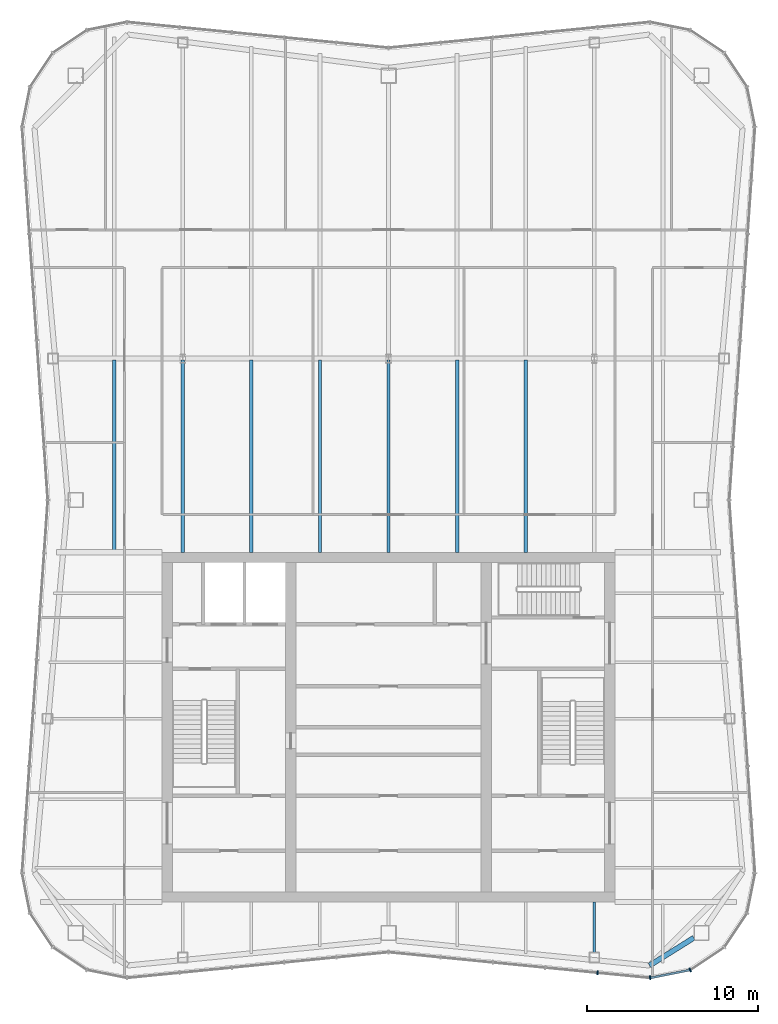
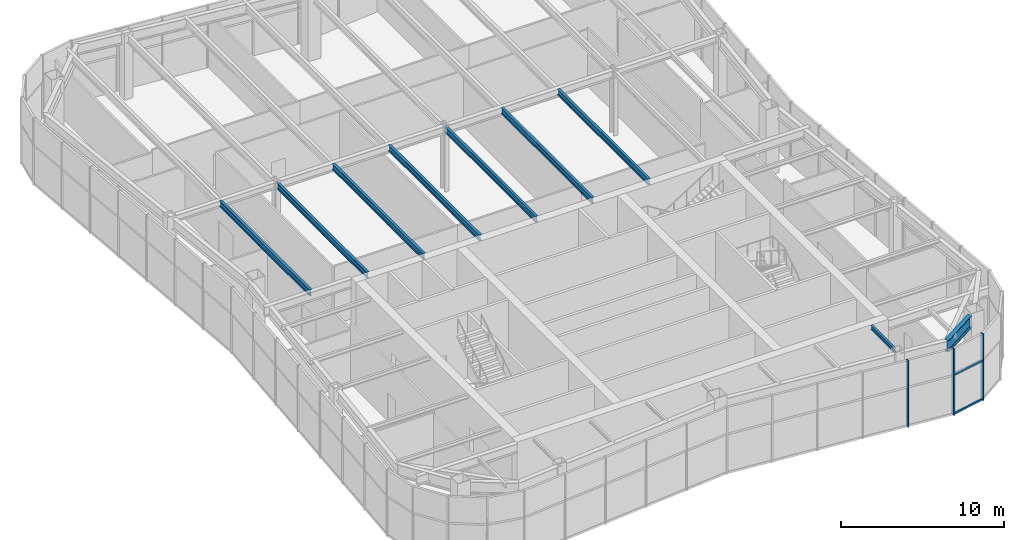
# One storey, part 4 of 13: 9 beams, 5 members, 2 elements without a shape of their own.
"""IFC4 building model written with IfcOpenShell, lengths in metres."""

from ifc_helpers import new_model, si_unit, direction, frame, origin, origin_2d, place, context, subcontext, project, spatial, rectangle, i_section, extrude, material, material_profile, profile_set, type_object, element, aggregate, save


model = new_model("IFC4")

# Units and contexts
model_context = context("Model", 3, precision=1e-05, world=origin(), true_north=direction((0.0, 1.0)))
body_context = subcontext(model_context, "Body", "Model", "MODEL_VIEW")
ifc_project = project(units=[si_unit("LENGTHUNIT", "METRE"), si_unit("AREAUNIT", "SQUARE_METRE"), si_unit("VOLUMEUNIT", "CUBIC_METRE"), si_unit("PLANEANGLEUNIT", "RADIAN"), si_unit("MASSUNIT", "GRAM", prefix="KILO")], contexts=[model_context])

# Site, building, storey
site_placement = place(None, origin())
site = spatial("IfcSite", under=ifc_project, at=site_placement, CompositionType="ELEMENT")
building_placement = place(site_placement, origin())
building = spatial("IfcBuilding", under=site, at=building_placement, Name="Verdant Reach Tower", CompositionType="ELEMENT")
storey_placement = place(building_placement, frame((0.0, 0.0, 354.5)))
storey = spatial("IfcBuildingStorey", under=building, at=storey_placement, Name="L80 Plant", CompositionType="ELEMENT", Elevation=354.5)

# Curtain wall, members
ifc_material_1 = material(Name="Anodised aluminium", Category="aluminium")
curtain_wall_type = type_object("IfcCurtainWallType", Name="EN-CW SYSTEM PLANT", PredefinedType="NOTDEFINED", material=ifc_material_1)
curtain_wall_1_placement = place(storey_placement, origin())
curtain_wall_1 = element("IfcCurtainWall", 1, at=curtain_wall_1_placement, inside=storey, type_object=curtain_wall_type, Name="Curtain wall south-east corner, L80", PredefinedType="NOTDEFINED")
ifc_material_profile_1 = material_profile(ifc_material_1, rectangle(XDim=0.238037109375, YDim=0.080078125, at=origin_2d()), Name="Mullion 80x240")
ifc_profile_set_1 = profile_set([ifc_material_profile_1], Name="Anodised aluminium")
member_type_1 = type_object("IfcMemberType", Name="EN-MULLION PLANT", PredefinedType="MULLION", material=ifc_profile_set_1)
member_1_placement = place(storey_placement, frame((15.255859375, 13.381103515625, -0.35009765625), z_axis=(0.0, 0.0, 1.0), x_axis=(0.049127596288, -0.998792510626, 0.0)))
member_1 = element("IfcMember", 2, at=member_1_placement, type_object=member_type_1, Name="Mullion south-east corner 1, L80", PredefinedType="MULLION", context=body_context, shape_type="SweptSolid", body=[
    extrude(rectangle(XDim=0.238037109375, YDim=0.080078125, at=origin_2d()), origin(), (0.0, 0.0, 1.0), 5.0),
])
member_2_placement = place(storey_placement, frame((17.591552734375, 13.8466796875, -0.35009765625), z_axis=(0.0, 0.0, 1.0), x_axis=(0.382693853776, -0.923875215753, 0.0)))
member_2 = element("IfcMember", 3, at=member_2_placement, type_object=member_type_1, Name="Mullion south-east corner 2, L80", PredefinedType="MULLION", context=body_context, shape_type="SweptSolid", body=[
    extrude(rectangle(XDim=0.238037109375, YDim=0.080078125, at=origin_2d()), origin(), (0.0, 0.0, 1.0), 5.0),
])

# Curtain wall, member
curtain_wall_2_placement = place(storey_placement, origin())
curtain_wall_2 = element("IfcCurtainWall", 4, at=curtain_wall_2_placement, inside=storey, type_object=curtain_wall_type, Name="Curtain wall south, L80", PredefinedType="NOTDEFINED")
member_3_placement = place(storey_placement, frame((12.188232421875, 13.681640625, -0.35009765625), z_axis=(0.0, 0.0, 1.0), x_axis=(-0.09788826992, -0.995197410875, 0.0)))
member_3 = element("IfcMember", 5, at=member_3_placement, type_object=member_type_1, Name="Mullion south face part 2 5, L80", PredefinedType="MULLION", context=body_context, shape_type="SweptSolid", body=[
    extrude(rectangle(XDim=0.238037109375, YDim=0.080078125, at=origin_2d()), origin(), (0.0, 0.0, 1.0), 5.0),
])
aggregate(curtain_wall_2, [member_3])

# Member
ifc_material_profile_2 = material_profile(ifc_material_1, rectangle(XDim=0.1201171875, YDim=0.14990234375, at=origin_2d()), Name="Transom 150x120")
ifc_profile_set_2 = profile_set([ifc_material_profile_2], Name="Anodised aluminium")
member_type_2 = type_object("IfcMemberType", Name="EN-TRANSOM PLANT", PredefinedType="USERDEFINED", material=ifc_profile_set_2)
member_4_placement = place(storey_placement, frame((15.295166015625, 13.388916015625, -0.27490234375), z_axis=(0.980706937788, 0.195483764476, 0.0), x_axis=(-0.195483764476, 0.980706937788, 0.0)))
member_4 = element("IfcMember", 6, at=member_4_placement, type_object=member_type_2, Name="Transom south-east corner 1.1, L80", ObjectType="TRANSOM", PredefinedType="USERDEFINED", context=body_context, shape_type="SweptSolid", body=[
    extrude(rectangle(XDim=0.1201171875, YDim=0.14990234375, at=origin_2d()), origin(), (0.0, 0.0, 1.0), 2.3017578125),
])

member_5_placement = place(storey_placement, frame((15.295166015625, 13.388916015625, 2.64990234375), z_axis=(0.980706937788, 0.195483764476, 0.0), x_axis=(-0.195483764476, 0.980706937788, 0.0)))
member_5 = element("IfcMember", 7, at=member_5_placement, type_object=member_type_2, Name="Transom south-east corner 1.2, L80", ObjectType="TRANSOM", PredefinedType="USERDEFINED", context=body_context, shape_type="SweptSolid", body=[
    extrude(rectangle(XDim=0.1201171875, YDim=0.14990234375, at=origin_2d()), origin(), (0.0, 0.0, 1.0), 2.3017578125),
])

aggregate(curtain_wall_1, [member_1, member_2, member_4, member_5])

# Beams
ifc_material_2 = material(Name="Steel S355", Category="steel")
ifc_material_profile_3 = material_profile(ifc_material_2, i_section(OverallWidth=0.302001953125, OverallDepth=0.909912109375, WebThickness=0.02099609375, FlangeThickness=0.0400390625, FilletRadius=0.030029296875, at=origin_2d()), Name="HEM 900")
ifc_profile_set_3 = profile_set([ifc_material_profile_3], Name="Steel S355")
beam_type_1 = type_object("IfcBeamType", Name="ST-BEAM-HEM900", PredefinedType="BEAM", material=ifc_profile_set_3)
beam_1_placement = place(storey_placement, frame((17.800048828125, 15.71875, 4.39501953125), z_axis=(-0.847903624467, -0.530150397166, 0.0), x_axis=(0.530150397166, -0.847903624467, 0.0)))
element("IfcBeam", 8, at=beam_1_placement, inside=storey, type_object=beam_type_1, Name="Column stub beam, L80 Plant", PredefinedType="BEAM", context=body_context, shape_type="SweptSolid", body=[
    extrude(i_section(OverallWidth=0.302001953125, OverallDepth=0.909912109375, WebThickness=0.02099609375, FlangeThickness=0.0400390625, FilletRadius=0.030029296875, at=origin_2d()), origin(), (0.0, 0.0, 1.0), 3.042724609375),
])
ifc_material_profile_4 = material_profile(ifc_material_2, i_section(OverallWidth=0.14990234375, OverallDepth=0.300048828125, WebThickness=0.007080078125, FlangeThickness=0.0107421875, FilletRadius=0.014892578125, at=origin_2d()), Name="IPE 300")
ifc_profile_set_4 = profile_set([ifc_material_profile_4], Name="Steel S355")
beam_type_2 = type_object("IfcBeamType", Name="ST-JOIST-IPE300", PredefinedType="JOIST", material=ifc_profile_set_4)
beam_2_placement = place(storey_placement, frame((12.0, 17.800048828125, 4.699951171875), z_axis=(0.0, -1.0, 0.0), x_axis=(1.0, 0.0, 0.0)))
element("IfcBeam", 9, at=beam_2_placement, inside=storey, type_object=beam_type_2, Name="Floor joist, L80 Plant", PredefinedType="JOIST", context=body_context, shape_type="SweptSolid", body=[
    extrude(i_section(OverallWidth=0.14990234375, OverallDepth=0.300048828125, WebThickness=0.007080078125, FlangeThickness=0.0107421875, FilletRadius=0.014892578125, at=origin_2d()), origin(), (0.0, 0.0, 1.0), 2.930419921875),
])
ifc_material_profile_5 = material_profile(ifc_material_2, i_section(OverallWidth=0.18994140625, OverallDepth=0.449951171875, WebThickness=0.009521484375, FlangeThickness=0.0146484375, FilletRadius=0.02099609375, at=origin_2d()), Name="IPE 450")
ifc_profile_set_5 = profile_set([ifc_material_profile_5], Name="Steel S355")
beam_type_3 = type_object("IfcBeamType", Name="ST-JOIST-IPE450", PredefinedType="JOIST", material=ifc_profile_set_5)
beam_3_placement = place(storey_placement, frame((-16.0, 38.300048828125, 4.625), z_axis=(0.0, 1.0, 0.0), x_axis=(-1.0, 0.0, 0.0)))
element("IfcBeam", 10, at=beam_3_placement, inside=storey, type_object=beam_type_3, Name="Floor joist, L80 Plant", PredefinedType="JOIST", context=body_context, shape_type="SweptSolid", body=[
    extrude(i_section(OverallWidth=0.18994140625, OverallDepth=0.449951171875, WebThickness=0.009521484375, FlangeThickness=0.0146484375, FilletRadius=0.02099609375, at=origin_2d()), origin(), (0.0, 0.0, 1.0), 11.099853515625),
])
for number, where, z_axis, x_axis, name in (
    (11, (-12.0, 38.199951171875, 4.625), (0.0, 1.0, 0.0), (-1.0, 0.0, 0.0), "Floor joist, L80 Plant"),
    (12, (-8.0, 38.199951171875, 4.625), (0.0, 1.0, 0.0), (-1.0, 0.0, 0.0), "Floor joist, L80 Plant"),
    (13, (-4.0, 38.199951171875, 4.625), (0.0, 1.0, 0.0), (-1.0, 0.0, 0.0), "Floor joist, L80 Plant"),
    (14, (0.0, 38.199951171875, 4.625), (0.0, 1.0, 0.0), (-1.0, 0.0, 0.0), "Floor joist, L80 Plant"),
    (15, (4.0, 38.199951171875, 4.625), (0.0, 1.0, 0.0), (-1.0, 0.0, 0.0), "Floor joist, L80 Plant"),
    (16, (8.0, 38.199951171875, 4.625), (0.0, 1.0, 0.0), (-1.0, 0.0, 0.0), "Floor joist, L80 Plant"),
):
    element("IfcBeam", number, at=place(storey_placement, frame(where, z_axis=z_axis, x_axis=x_axis)), inside=storey, type_object=beam_type_3, Name=name, PredefinedType="JOIST", context=body_context, shape_type="SweptSolid", body=[
        extrude(i_section(OverallWidth=0.18994140625, OverallDepth=0.449951171875, WebThickness=0.009521484375, FlangeThickness=0.0146484375, FilletRadius=0.02099609375, at=origin_2d()), origin(), (0.0, 0.0, 1.0), 11.199951171875),
    ])

save(model, "model.ifc")
